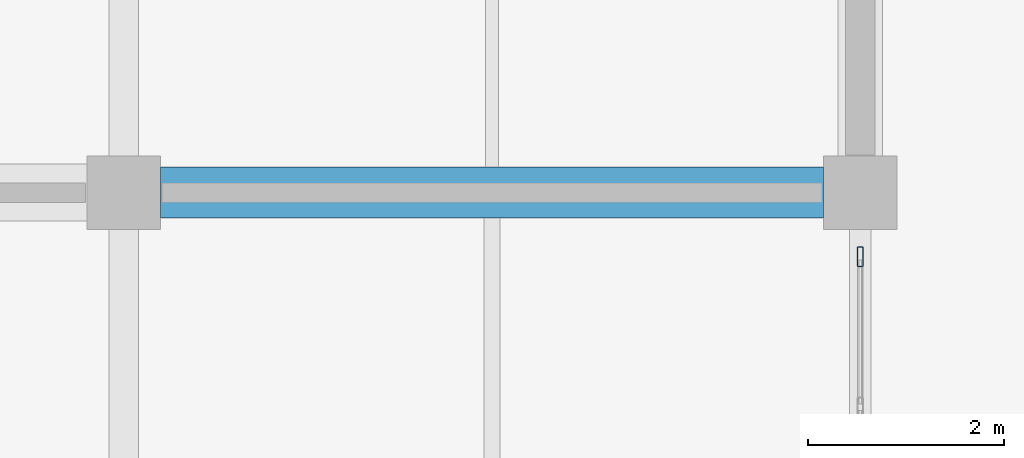
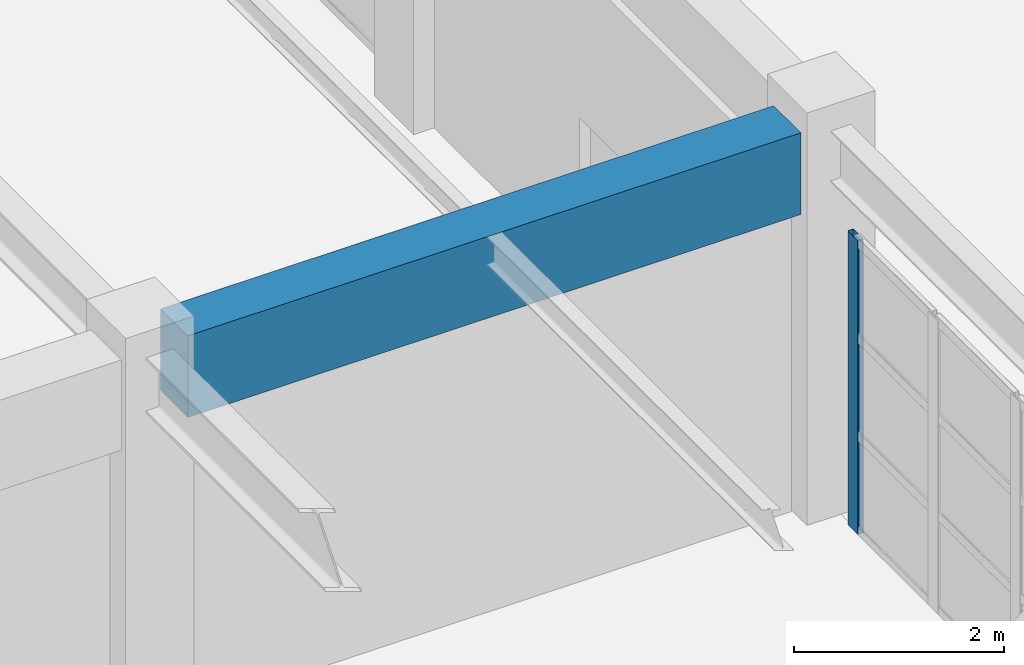
# One storey, part 39 of 122: 1 beam, 1 member, 1 element without a shape of its own.
"""IFC4 building model written with IfcOpenShell, lengths in metres."""

from ifc_helpers import new_model, si_unit, direction, frame, origin, origin_2d, place, context, subcontext, project, spatial, rectangle, hollow_rectangle, extrude, material, material_profile, profile_set, type_object, element, aggregate, save


model = new_model("IFC4")

# Units and contexts
model_context = context("Model", 3, precision=1e-05, world=origin(), true_north=direction((0.0, 1.0)))
body_context = subcontext(model_context, "Body", "Model", "MODEL_VIEW")
ifc_project = project(units=[si_unit("LENGTHUNIT", "METRE"), si_unit("AREAUNIT", "SQUARE_METRE"), si_unit("VOLUMEUNIT", "CUBIC_METRE"), si_unit("PLANEANGLEUNIT", "RADIAN"), si_unit("MASSUNIT", "GRAM", prefix="KILO")], contexts=[model_context])

# Site, building, storey
site_placement = place(None, origin())
site = spatial("IfcSite", under=ifc_project, at=site_placement, CompositionType="ELEMENT")
building_placement = place(site_placement, origin())
building = spatial("IfcBuilding", under=site, at=building_placement, Name="Qasida Concert Hall", CompositionType="ELEMENT")
storey_placement = place(building_placement, origin())
storey = spatial("IfcBuildingStorey", under=building, at=storey_placement, Name="L00", CompositionType="ELEMENT", Elevation=0.0)

# Beam
ifc_material_1 = material(Name="Concrete C40/50", Category="concrete")
ifc_material_profile_1 = material_profile(ifc_material_1, rectangle(XDim=0.52001953125, YDim=0.949951171875, at=origin_2d()), Name="RC 520x950")
ifc_profile_set_1 = profile_set([ifc_material_profile_1], Name="Concrete C40/50")
beam_type = type_object("IfcBeamType", Name="BM-G7", PredefinedType="USERDEFINED", material=ifc_profile_set_1)
beam_placement = place(storey_placement, frame((30.375, 90.0, 4.02490234375), z_axis=(1.0, 0.0, 0.0), x_axis=(0.0, 1.0, 0.0)))
element("IfcBeam", 1, at=beam_placement, inside=storey, type_object=beam_type, Name="Primary girder 0699", ObjectType="GIRDER", PredefinedType="USERDEFINED", context=body_context, shape_type="SweptSolid", body=[
    extrude(rectangle(XDim=0.52001953125, YDim=0.949951171875, at=origin_2d()), origin(), (0.0, 0.0, 1.0), 6.75),
])

# Curtain wall, member
ifc_material_2 = material(Name="Architectural bronze-anodized aluminium and low-E glass", Category="aluminium")
curtain_wall_type = type_object("IfcCurtainWallType", Name="CW-08", PredefinedType="NOTDEFINED", material=ifc_material_2)
curtain_wall_placement = place(storey_placement, origin())
curtain_wall = element("IfcCurtainWall", 2, at=curtain_wall_placement, inside=storey, type_object=curtain_wall_type, Name="L00 curtain wall CW-08 0182", PredefinedType="NOTDEFINED")
ifc_material_3 = material(Name="Architectural bronze-anodized aluminium EN AW-6063", Category="aluminium")
ifc_material_profile_2 = material_profile(ifc_material_3, hollow_rectangle(XDim=0.06494140625, YDim=0.199951171875, WallThickness=0.0048828125, InnerFilletRadius=0.0048828125, OuterFilletRadius=0.010009765625, at=origin_2d()), Name="CWM 200x65x5")
ifc_profile_set_2 = profile_set([ifc_material_profile_2], Name="Architectural bronze-anodized aluminium EN AW-6063")
member_type = type_object("IfcMemberType", Name="MB-CWM-2", PredefinedType="MULLION", material=ifc_profile_set_2)
member_placement = place(storey_placement, frame((37.5, 89.347412109375, 0.0), z_axis=(0.0, 0.0, 1.0), x_axis=(-1.0, 0.0, 0.0)))
member = element("IfcMember", 3, at=member_placement, type_object=member_type, Name="CW-08 mullion 5", PredefinedType="MULLION", context=body_context, shape_type="SweptSolid", body=[
    extrude(hollow_rectangle(XDim=0.06494140625, YDim=0.199951171875, WallThickness=0.0048828125, InnerFilletRadius=0.0048828125, OuterFilletRadius=0.010009765625, at=origin_2d()), origin(), (0.0, 0.0, 1.0), 3.419921875),
])
aggregate(curtain_wall, [member])

save(model, "model.ifc")
